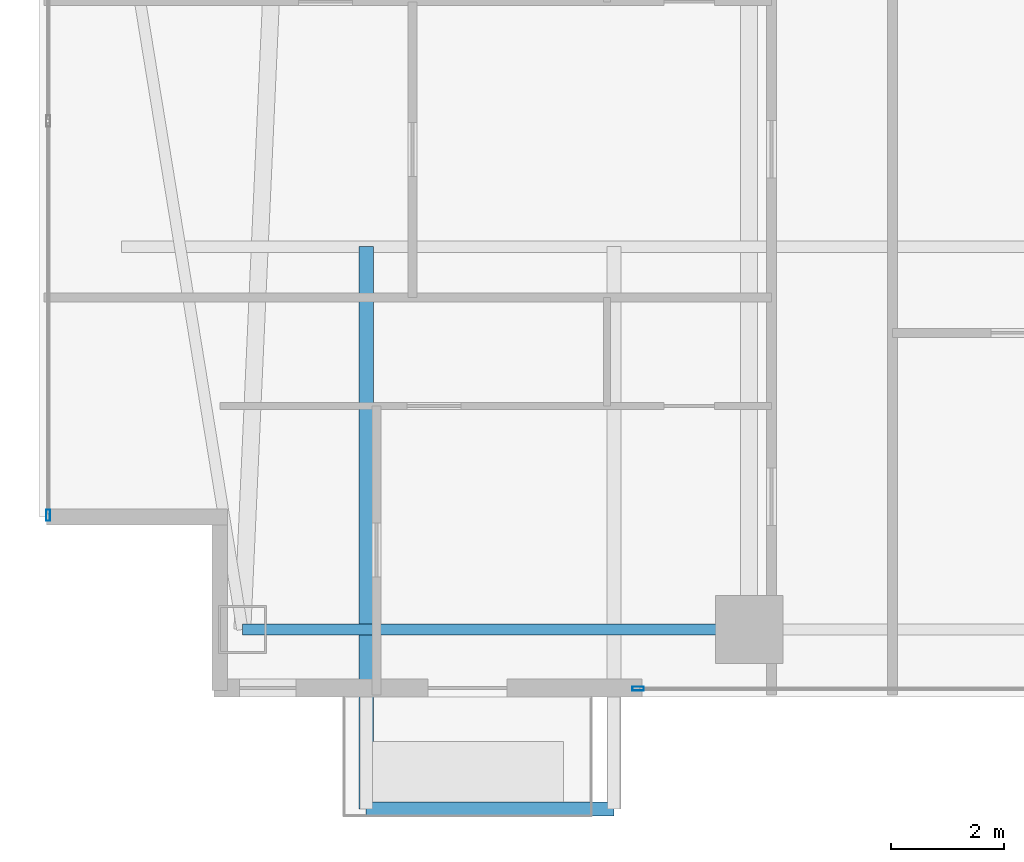
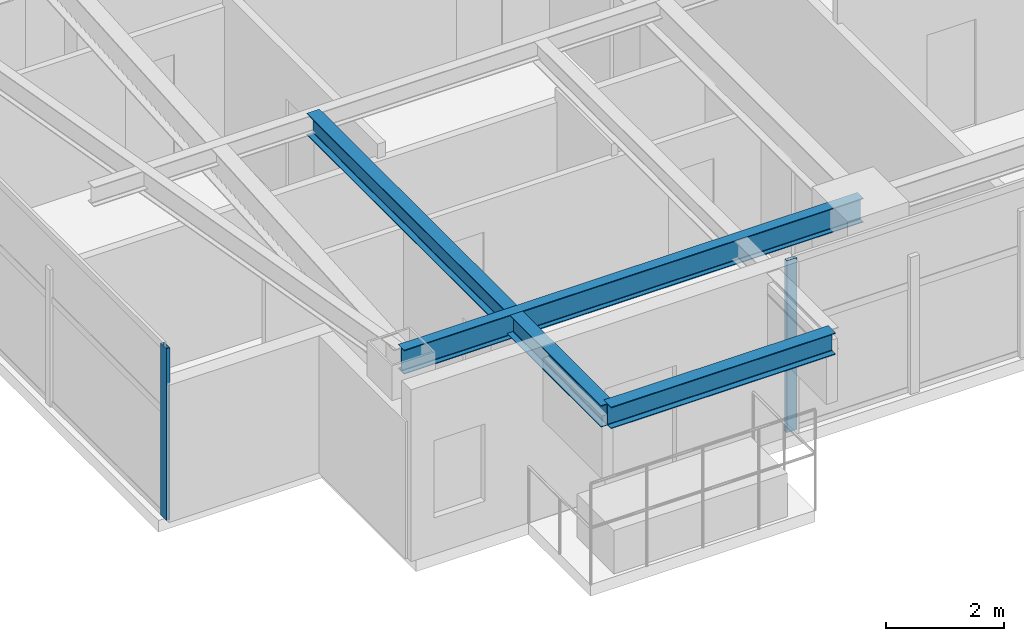
# One storey, part 2 of 28: 3 beams, 2 members, 2 elements without a shape of their own.
"""IFC4 building model written with IfcOpenShell, lengths in metres."""

from ifc_helpers import new_model, si_unit, direction, frame, origin, origin_2d, place, context, subcontext, project, spatial, hollow_rectangle, i_section, extrude, material, layer, layer_set, material_profile, profile_set, type_object, element, aggregate, save


model = new_model("IFC4")

# Units and contexts
model_context = context("Model", 3, precision=1e-05, world=origin(), true_north=direction((0.0, 1.0)))
body_context = subcontext(model_context, "Body", "Model", "MODEL_VIEW")
ifc_project = project(units=[si_unit("LENGTHUNIT", "METRE"), si_unit("AREAUNIT", "SQUARE_METRE"), si_unit("VOLUMEUNIT", "CUBIC_METRE"), si_unit("PLANEANGLEUNIT", "RADIAN"), si_unit("MASSUNIT", "GRAM", prefix="KILO")], contexts=[model_context])

# Site, building, storey
site_placement = place(None, origin())
site = spatial("IfcSite", under=ifc_project, at=site_placement, CompositionType="ELEMENT")
building_placement = place(site_placement, origin())
building = spatial("IfcBuilding", under=site, at=building_placement, Name="Calvorn Quay Hotel", CompositionType="ELEMENT")
storey_placement = place(building_placement, frame((0.0, 0.0, 101.199951171875)))
storey = spatial("IfcBuildingStorey", under=building, at=storey_placement, Name="L24", CompositionType="ELEMENT", Elevation=101.199951171875)

# Beams
ifc_material_1 = material(Name="Steel Q355B", Category="steel")
ifc_material_profile_1 = material_profile(ifc_material_1, i_section(OverallWidth=0.25, OverallDepth=0.449951171875, WebThickness=0.011962890625, FlangeThickness=0.01611328125, FilletRadius=0.01611328125, at=origin_2d()), Name="HN450x250x12x16")
ifc_profile_set_1 = profile_set([ifc_material_profile_1], Name="Steel Q355B")
beam_type_1 = type_object("IfcBeamType", Name="BM-CANT-BALC", PredefinedType="BEAM", material=ifc_profile_set_1)
beam_1_placement = place(storey_placement, frame((5.800048828125, 10.39990234375, 3.31494140625), z_axis=(0.0, -1.0, 0.0), x_axis=(1.0, 0.0, 0.0)))
element("IfcBeam", 1, at=beam_1_placement, inside=storey, type_object=beam_type_1, Name="Cantilever Balcony Beam BCB-L25-2A", PredefinedType="BEAM", context=body_context, shape_type="SweptSolid", body=[
    extrude(i_section(OverallWidth=0.25, OverallDepth=0.449951171875, WebThickness=0.011962890625, FlangeThickness=0.01611328125, FilletRadius=0.01611328125, at=origin_2d()), origin(), (0.0, 0.0, 1.0), 9.989990234375),
])
beam_2_placement = place(storey_placement, frame((5.800048828125, 0.409912109375, 3.31494140625), z_axis=(1.0, 0.0, 0.0), x_axis=(0.0, 1.0, 0.0)))
element("IfcBeam", 2, at=beam_2_placement, inside=storey, type_object=beam_type_1, Name="Beam BCBO-L25-2", PredefinedType="BEAM", context=body_context, shape_type="SweptSolid", body=[
    extrude(i_section(OverallWidth=0.25, OverallDepth=0.449951171875, WebThickness=0.011962890625, FlangeThickness=0.01611328125, FilletRadius=0.01611328125, at=origin_2d()), origin(), (0.0, 0.0, 1.0), 4.39990234375),
])
ifc_material_2 = material(Name="Steel Q355B", Category="steel")
ifc_material_profile_2 = material_profile(ifc_material_2, i_section(OverallWidth=0.199951171875, OverallDepth=0.5, WebThickness=0.010009765625, FlangeThickness=0.01611328125, FilletRadius=0.01611328125, at=origin_2d()), Name="HN500x200x10x16")
ifc_profile_set_2 = profile_set([ifc_material_profile_2], Name="Steel Q355B")
beam_type_2 = type_object("IfcBeamType", Name="BM-SPANDREL-Z1", PredefinedType="SPANDREL", material=ifc_profile_set_2)
beam_3_placement = place(storey_placement, frame((3.60009765625, 3.60009765625, 3.2900390625), z_axis=(1.0, 0.0, 0.0), x_axis=(0.0, 1.0, 0.0)))
element("IfcBeam", 3, at=beam_3_placement, inside=storey, type_object=beam_type_2, Name="Beam BSP-L24-S1", PredefinedType="SPANDREL", context=body_context, shape_type="SweptSolid", body=[
    extrude(i_section(OverallWidth=0.199951171875, OverallDepth=0.5, WebThickness=0.010009765625, FlangeThickness=0.01611328125, FilletRadius=0.01611328125, at=origin_2d()), origin(), (0.0, 0.0, 1.0), 9.0),
])

# Curtain wall, member
ifc_material_3 = material(Name="Pale Anodised Aluminium and Low-E Glass", Category="aluminium")
ifc_layer = layer(ifc_material_3, 0.219970703125)
ifc_layer_set = layer_set([ifc_layer], Name="CW-SYS-Z2")
curtain_wall_type = type_object("IfcCurtainWallType", Name="CW-SYS-Z2", PredefinedType="NOTDEFINED", material=ifc_layer_set)
curtain_wall_1_placement = place(storey_placement, origin())
curtain_wall_1 = element("IfcCurtainWall", 4, at=curtain_wall_1_placement, inside=storey, type_object=curtain_wall_type, Name="Tower West Curtain Wall (L24)", PredefinedType="NOTDEFINED")
ifc_material_4 = material(Name="Pale Anodised Aluminium 6063-T6", Category="aluminium")
ifc_material_profile_3 = material_profile(ifc_material_4, hollow_rectangle(XDim=0.070068359375, YDim=0.199951171875, WallThickness=0.00390625, at=origin_2d()), Name="ALU-M200x70x4")
ifc_profile_set_3 = profile_set([ifc_material_profile_3], Name="Pale Anodised Aluminium 6063-T6")
member_type = type_object("IfcMemberType", Name="CW-SYS-Z2-MUL", PredefinedType="MULLION", material=ifc_profile_set_3)
member_1_placement = place(storey_placement, frame((0.14990234375, 5.6298828125, 0.0), z_axis=(0.0, 0.0, 1.0), x_axis=(-1.0, 0.0, 0.0)))
member_1 = element("IfcMember", 5, at=member_1_placement, type_object=member_type, Name="CW-L24-W mullion 1", PredefinedType="MULLION", context=body_context, shape_type="SweptSolid", body=[
    extrude(hollow_rectangle(XDim=0.070068359375, YDim=0.199951171875, WallThickness=0.00390625, at=origin_2d()), origin(), (0.0, 0.0, 1.0), 3.56005859375),
])
aggregate(curtain_wall_1, [member_1])

curtain_wall_2_placement = place(storey_placement, origin())
curtain_wall_2 = element("IfcCurtainWall", 6, at=curtain_wall_2_placement, inside=storey, type_object=curtain_wall_type, Name="Tower South Waterfront Curtain Wall (L24)", PredefinedType="NOTDEFINED")
member_2_placement = place(storey_placement, frame((10.6298828125, 2.550048828125, 0.0), z_axis=(0.0, 0.0, 1.0), x_axis=(0.0, 1.0, 0.0)))
member_2 = element("IfcMember", 7, at=member_2_placement, type_object=member_type, Name="CW-L24-S mullion 1", PredefinedType="MULLION", context=body_context, shape_type="SweptSolid", body=[
    extrude(hollow_rectangle(XDim=0.070068359375, YDim=0.199951171875, WallThickness=0.00390625, at=origin_2d()), origin(), (0.0, 0.0, 1.0), 3.56005859375),
])
aggregate(curtain_wall_2, [member_2])

save(model, "model.ifc")
